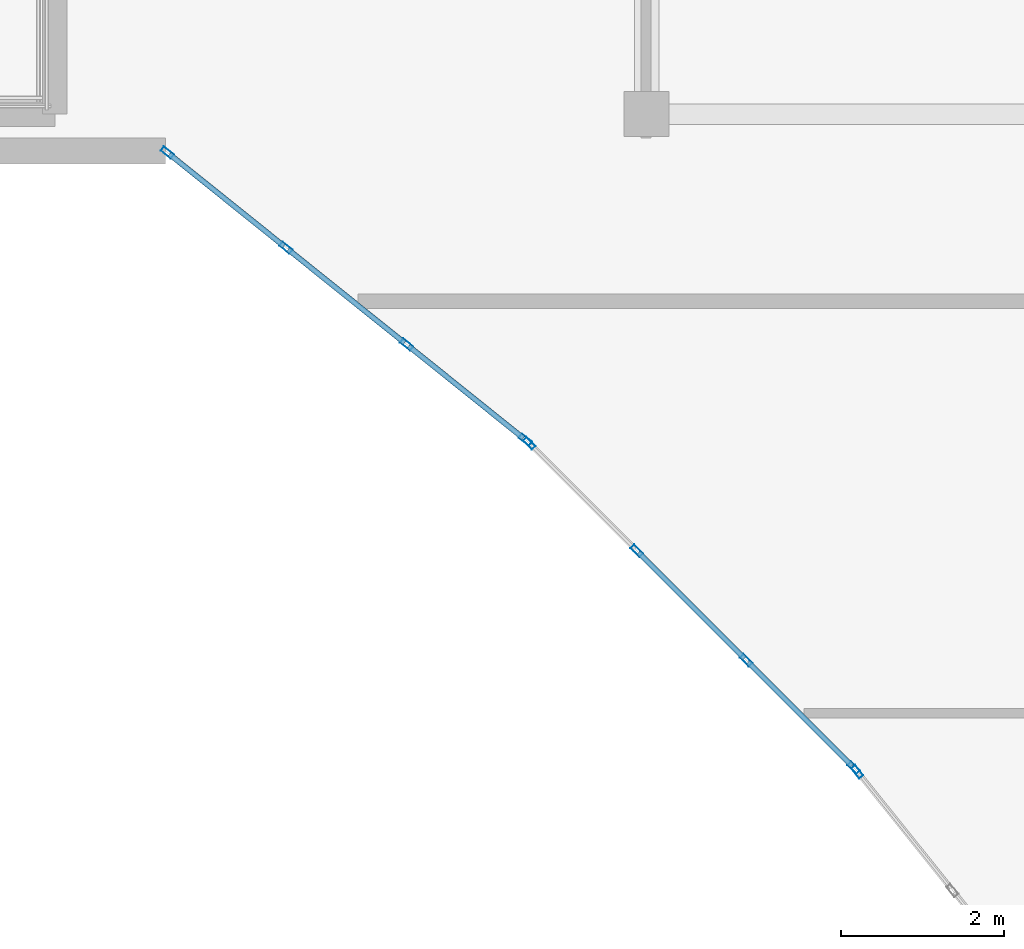
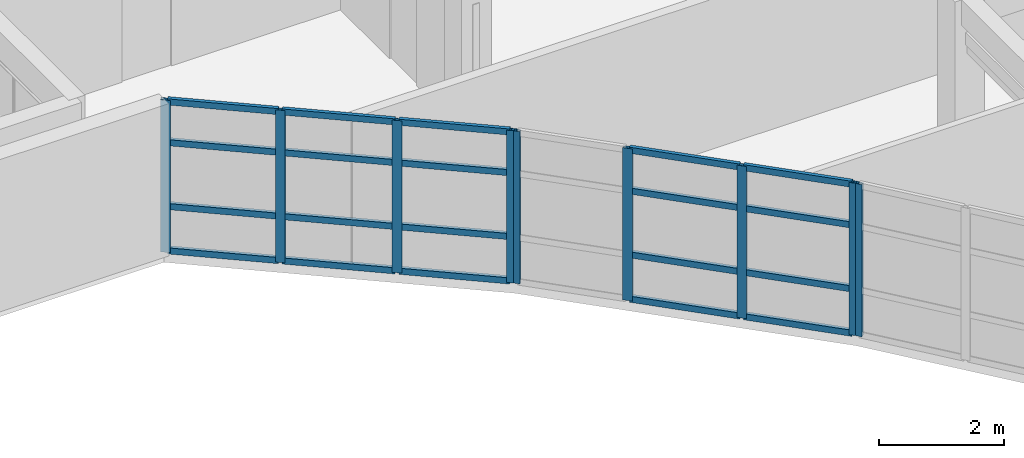
# One storey, part 15 of 49: 29 members, 3 elements without a shape of their own.
"""IFC4 building model written with IfcOpenShell, lengths in metres."""

from ifc_helpers import new_model, si_unit, direction, frame, origin, origin_2d, place, context, subcontext, project, spatial, hollow_rectangle, extrude, material, layer, layer_set, material_profile, profile_set, type_object, element, aggregate, save


model = new_model("IFC4")

# Units and contexts
model_context = context("Model", 3, precision=1e-05, world=origin(), true_north=direction((0.0, 1.0)))
body_context = subcontext(model_context, "Body", "Model", "MODEL_VIEW")
ifc_project = project(units=[si_unit("LENGTHUNIT", "METRE"), si_unit("AREAUNIT", "SQUARE_METRE"), si_unit("VOLUMEUNIT", "CUBIC_METRE"), si_unit("PLANEANGLEUNIT", "RADIAN"), si_unit("MASSUNIT", "GRAM", prefix="KILO")], contexts=[model_context])

# Site, building, storey
site_placement = place(None, origin())
site = spatial("IfcSite", under=ifc_project, at=site_placement, CompositionType="ELEMENT")
building_placement = place(site_placement, origin())
building = spatial("IfcBuilding", under=site, at=building_placement, Name="Keldmere Railside Commons", CompositionType="ELEMENT")
storey_placement = place(building_placement, frame((0.0, 0.0, 29.760009765625)))
storey = spatial("IfcBuildingStorey", under=building, at=storey_placement, Name="L09", CompositionType="ELEMENT", Elevation=29.760009765625)

# Curtain wall, members
ifc_material = material(Name="Thermally Broken Aluminium", Category="aluminium")
ifc_layer_1 = layer(ifc_material, 0.159912109375, Name="Court Chord Wintergarden CW 5400x2850")
ifc_layer_set_1 = layer_set([ifc_layer_1], Name="Thermally Broken Aluminium")
curtain_wall_type_1 = type_object("IfcCurtainWallType", Name="Court Chord Wintergarden CW 5400x2850", PredefinedType="NOTDEFINED", material=ifc_layer_set_1)
curtain_wall_1_placement = place(storey_placement, origin())
curtain_wall_1 = element("IfcCurtainWall", 1, at=curtain_wall_1_placement, inside=storey, type_object=curtain_wall_type_1, Name="CW-13 CW-L09-184", PredefinedType="NOTDEFINED")
ifc_material_profile_1 = material_profile(ifc_material, hollow_rectangle(XDim=0.06494140625, YDim=0.159912109375, WallThickness=0.00390625, at=origin_2d()), Name="ALU-MULL-65x160")
ifc_profile_set_1 = profile_set([ifc_material_profile_1], Name="Thermally Broken Aluminium")
member_type_1 = type_object("IfcMemberType", Name="Unitised Curtain Wall Mullion 65x160", PredefinedType="MULLION", material=ifc_profile_set_1)
member_1_placement = place(storey_placement, frame((160.404541015625, 96.46630859375, 0.0), z_axis=(0.0, 0.0, 1.0), x_axis=(-0.625768080915, -0.780009172323, 0.0)))
member_1 = element("IfcMember", 2, at=member_1_placement, type_object=member_type_1, Name="CW-13 mullion 1", PredefinedType="MULLION", context=body_context, shape_type="SweptSolid", body=[
    extrude(hollow_rectangle(XDim=0.06494140625, YDim=0.159912109375, WallThickness=0.00390625, at=origin_2d()), origin(), (0.0, 0.0, 1.0), 2.97998046875),
])
member_2_placement = place(storey_placement, frame((158.953369140625, 97.630615234375, 0.0), z_axis=(0.0, 0.0, 1.0), x_axis=(-0.625768080915, -0.780009172323, 0.0)))
member_2 = element("IfcMember", 3, at=member_2_placement, type_object=member_type_1, Name="CW-13 mullion 2", PredefinedType="MULLION", context=body_context, shape_type="SweptSolid", body=[
    extrude(hollow_rectangle(XDim=0.06494140625, YDim=0.159912109375, WallThickness=0.00390625, at=origin_2d()), origin(), (0.0, 0.0, 1.0), 2.97998046875),
])
member_3_placement = place(storey_placement, frame((157.4765625, 98.8154296875, 0.0), z_axis=(0.0, 0.0, 1.0), x_axis=(-0.625768080915, -0.780009172323, 0.0)))
member_3 = element("IfcMember", 4, at=member_3_placement, type_object=member_type_1, Name="CW-13 mullion 3", PredefinedType="MULLION", context=body_context, shape_type="SweptSolid", body=[
    extrude(hollow_rectangle(XDim=0.06494140625, YDim=0.159912109375, WallThickness=0.00390625, at=origin_2d()), origin(), (0.0, 0.0, 1.0), 2.97998046875),
])
member_4_placement = place(storey_placement, frame((156.025390625, 99.979736328125, 0.0), z_axis=(0.0, 0.0, 1.0), x_axis=(-0.625768080915, -0.780009172323, 0.0)))
member_4 = element("IfcMember", 5, at=member_4_placement, type_object=member_type_1, Name="CW-13 mullion 4", PredefinedType="MULLION", context=body_context, shape_type="SweptSolid", body=[
    extrude(hollow_rectangle(XDim=0.06494140625, YDim=0.159912109375, WallThickness=0.00390625, at=origin_2d()), origin(), (0.0, 0.0, 1.0), 2.97998046875),
])

ifc_layer_2 = layer(ifc_material, 0.159912109375, Name="Court Chord Wintergarden CW 4800x2850")
ifc_layer_set_2 = layer_set([ifc_layer_2], Name="Thermally Broken Aluminium")
curtain_wall_type_2 = type_object("IfcCurtainWallType", Name="Court Chord Wintergarden CW 4800x2850", PredefinedType="NOTDEFINED", material=ifc_layer_set_2)
curtain_wall_2_placement = place(storey_placement, origin())
curtain_wall_2 = element("IfcCurtainWall", 6, at=curtain_wall_2_placement, inside=storey, type_object=curtain_wall_type_2, Name="CW-12 CW-L09-185", PredefinedType="NOTDEFINED")
member_5_placement = place(storey_placement, frame((164.423095703125, 92.452880859375, 0.0), z_axis=(0.0, 0.0, 1.0), x_axis=(-0.707106781187, -0.707106781187, 0.0)))
member_5 = element("IfcMember", 7, at=member_5_placement, type_object=member_type_1, Name="CW-12 mullion 1", PredefinedType="MULLION", context=body_context, shape_type="SweptSolid", body=[
    extrude(hollow_rectangle(XDim=0.06494140625, YDim=0.159912109375, WallThickness=0.00390625, at=origin_2d()), origin(), (0.0, 0.0, 1.0), 2.97998046875),
])
member_6_placement = place(storey_placement, frame((163.107421875, 93.7685546875, 0.0), z_axis=(0.0, 0.0, 1.0), x_axis=(-0.707106781187, -0.707106781187, 0.0)))
member_6 = element("IfcMember", 8, at=member_6_placement, type_object=member_type_1, Name="CW-12 mullion 2", PredefinedType="MULLION", context=body_context, shape_type="SweptSolid", body=[
    extrude(hollow_rectangle(XDim=0.06494140625, YDim=0.159912109375, WallThickness=0.00390625, at=origin_2d()), origin(), (0.0, 0.0, 1.0), 2.97998046875),
])
member_7_placement = place(storey_placement, frame((161.7685546875, 95.107421875, 0.0), z_axis=(0.0, 0.0, 1.0), x_axis=(-0.707106781187, -0.707106781187, 0.0)))
member_7 = element("IfcMember", 9, at=member_7_placement, type_object=member_type_1, Name="CW-12 mullion 3", PredefinedType="MULLION", context=body_context, shape_type="SweptSolid", body=[
    extrude(hollow_rectangle(XDim=0.06494140625, YDim=0.159912109375, WallThickness=0.00390625, at=origin_2d()), origin(), (0.0, 0.0, 1.0), 2.97998046875),
])
member_8_placement = place(storey_placement, frame((160.452880859375, 96.423095703125, 0.0), z_axis=(0.0, 0.0, 1.0), x_axis=(-0.707106781187, -0.707106781187, 0.0)))
member_8 = element("IfcMember", 10, at=member_8_placement, type_object=member_type_1, Name="CW-12 mullion 4", PredefinedType="MULLION", context=body_context, shape_type="SweptSolid", body=[
    extrude(hollow_rectangle(XDim=0.06494140625, YDim=0.159912109375, WallThickness=0.00390625, at=origin_2d()), origin(), (0.0, 0.0, 1.0), 2.97998046875),
])

# Curtain wall, member
curtain_wall_3_placement = place(storey_placement, origin())
curtain_wall_3 = element("IfcCurtainWall", 11, at=curtain_wall_3_placement, inside=storey, type_object=curtain_wall_type_1, Name="CW-13 CW-L09-186", PredefinedType="NOTDEFINED")
member_9_placement = place(storey_placement, frame((164.46630859375, 92.404541015625, 0.0), z_axis=(0.0, 0.0, 1.0), x_axis=(-0.780009172323, -0.625768080915, 0.0)))
member_9 = element("IfcMember", 12, at=member_9_placement, type_object=member_type_1, Name="CW-13 mullion 4", PredefinedType="MULLION", context=body_context, shape_type="SweptSolid", body=[
    extrude(hollow_rectangle(XDim=0.06494140625, YDim=0.159912109375, WallThickness=0.00390625, at=origin_2d()), origin(), (0.0, 0.0, 1.0), 2.97998046875),
])
aggregate(curtain_wall_3, [member_9])

# Member
ifc_material_profile_2 = material_profile(ifc_material, hollow_rectangle(XDim=0.06494140625, YDim=0.1201171875, WallThickness=0.00390625, at=origin_2d()), Name="ALU-TRAN-65x120")
ifc_profile_set_2 = profile_set([ifc_material_profile_2], Name="Thermally Broken Aluminium")
member_type_2 = type_object("IfcMemberType", Name="Unitised Curtain Wall Transom 65x120", PredefinedType="USERDEFINED", material=ifc_profile_set_2)
member_10_placement = place(storey_placement, frame((160.37939453125, 96.486572265625, 0.032470703125), z_axis=(-0.779979331565, 0.625805275091, 0.0), x_axis=(-0.625805275091, -0.779979331565, 0.0)))
member_10 = element("IfcMember", 13, at=member_10_placement, type_object=member_type_2, Name="CW-13 transom 1.1", ObjectType="TRANSOM", PredefinedType="USERDEFINED", context=body_context, shape_type="SweptSolid", body=[
    extrude(hollow_rectangle(XDim=0.06494140625, YDim=0.1201171875, WallThickness=0.00390625, at=origin_2d()), origin(), (0.0, 0.0, 1.0), 1.795654296875),
])

member_11_placement = place(storey_placement, frame((160.37939453125, 96.486572265625, 0.89990234375), z_axis=(-0.779979331565, 0.625805275091, 0.0), x_axis=(-0.625805275091, -0.779979331565, 0.0)))
member_11 = element("IfcMember", 14, at=member_11_placement, type_object=member_type_2, Name="CW-13 transom 1.2", ObjectType="TRANSOM", PredefinedType="USERDEFINED", context=body_context, shape_type="SweptSolid", body=[
    extrude(hollow_rectangle(XDim=0.06494140625, YDim=0.1201171875, WallThickness=0.00390625, at=origin_2d()), origin(), (0.0, 0.0, 1.0), 1.795654296875),
])

member_12_placement = place(storey_placement, frame((160.37939453125, 96.486572265625, 2.14990234375), z_axis=(-0.779979331565, 0.625805275091, 0.0), x_axis=(-0.625805275091, -0.779979331565, 0.0)))
member_12 = element("IfcMember", 15, at=member_12_placement, type_object=member_type_2, Name="CW-13 transom 1.3", ObjectType="TRANSOM", PredefinedType="USERDEFINED", context=body_context, shape_type="SweptSolid", body=[
    extrude(hollow_rectangle(XDim=0.06494140625, YDim=0.1201171875, WallThickness=0.00390625, at=origin_2d()), origin(), (0.0, 0.0, 1.0), 1.795654296875),
])

member_13_placement = place(storey_placement, frame((160.37939453125, 96.486572265625, 2.947509765625), z_axis=(-0.779979331565, 0.625805275091, 0.0), x_axis=(-0.625805275091, -0.779979331565, 0.0)))
member_13 = element("IfcMember", 16, at=member_13_placement, type_object=member_type_2, Name="CW-13 transom 1.4", ObjectType="TRANSOM", PredefinedType="USERDEFINED", context=body_context, shape_type="SweptSolid", body=[
    extrude(hollow_rectangle(XDim=0.06494140625, YDim=0.1201171875, WallThickness=0.00390625, at=origin_2d()), origin(), (0.0, 0.0, 1.0), 1.795654296875),
])

member_14_placement = place(storey_placement, frame((158.927978515625, 97.651123046875, 0.032470703125), z_axis=(-0.78007338409, 0.625688033635, 0.0), x_axis=(-0.625688033635, -0.78007338409, 0.0)))
member_14 = element("IfcMember", 17, at=member_14_placement, type_object=member_type_2, Name="CW-13 transom 2.1", ObjectType="TRANSOM", PredefinedType="USERDEFINED", context=body_context, shape_type="SweptSolid", body=[
    extrude(hollow_rectangle(XDim=0.06494140625, YDim=0.1201171875, WallThickness=0.00390625, at=origin_2d()), origin(), (0.0, 0.0, 1.0), 1.828125),
])

member_15_placement = place(storey_placement, frame((158.927978515625, 97.651123046875, 0.89990234375), z_axis=(-0.78007338409, 0.625688033635, 0.0), x_axis=(-0.625688033635, -0.78007338409, 0.0)))
member_15 = element("IfcMember", 18, at=member_15_placement, type_object=member_type_2, Name="CW-13 transom 2.2", ObjectType="TRANSOM", PredefinedType="USERDEFINED", context=body_context, shape_type="SweptSolid", body=[
    extrude(hollow_rectangle(XDim=0.06494140625, YDim=0.1201171875, WallThickness=0.00390625, at=origin_2d()), origin(), (0.0, 0.0, 1.0), 1.828125),
])

member_16_placement = place(storey_placement, frame((158.927978515625, 97.651123046875, 2.14990234375), z_axis=(-0.78007338409, 0.625688033635, 0.0), x_axis=(-0.625688033635, -0.78007338409, 0.0)))
member_16 = element("IfcMember", 19, at=member_16_placement, type_object=member_type_2, Name="CW-13 transom 2.3", ObjectType="TRANSOM", PredefinedType="USERDEFINED", context=body_context, shape_type="SweptSolid", body=[
    extrude(hollow_rectangle(XDim=0.06494140625, YDim=0.1201171875, WallThickness=0.00390625, at=origin_2d()), origin(), (0.0, 0.0, 1.0), 1.828125),
])

member_17_placement = place(storey_placement, frame((158.927978515625, 97.651123046875, 2.947509765625), z_axis=(-0.78007338409, 0.625688033635, 0.0), x_axis=(-0.625688033635, -0.78007338409, 0.0)))
member_17 = element("IfcMember", 20, at=member_17_placement, type_object=member_type_2, Name="CW-13 transom 2.4", ObjectType="TRANSOM", PredefinedType="USERDEFINED", context=body_context, shape_type="SweptSolid", body=[
    extrude(hollow_rectangle(XDim=0.06494140625, YDim=0.1201171875, WallThickness=0.00390625, at=origin_2d()), origin(), (0.0, 0.0, 1.0), 1.828125),
])

member_18_placement = place(storey_placement, frame((157.451416015625, 98.835693359375, 0.032470703125), z_axis=(-0.780045694992, 0.625722553313, 0.0), x_axis=(-0.625722553313, -0.780045694992, 0.0)))
member_18 = element("IfcMember", 21, at=member_18_placement, type_object=member_type_2, Name="CW-13 transom 3.1", ObjectType="TRANSOM", PredefinedType="USERDEFINED", context=body_context, shape_type="SweptSolid", body=[
    extrude(hollow_rectangle(XDim=0.06494140625, YDim=0.1201171875, WallThickness=0.00390625, at=origin_2d()), origin(), (0.0, 0.0, 1.0), 1.795654296875),
])

member_19_placement = place(storey_placement, frame((157.451416015625, 98.835693359375, 0.89990234375), z_axis=(-0.780045694992, 0.625722553313, 0.0), x_axis=(-0.625722553313, -0.780045694992, 0.0)))
member_19 = element("IfcMember", 22, at=member_19_placement, type_object=member_type_2, Name="CW-13 transom 3.2", ObjectType="TRANSOM", PredefinedType="USERDEFINED", context=body_context, shape_type="SweptSolid", body=[
    extrude(hollow_rectangle(XDim=0.06494140625, YDim=0.1201171875, WallThickness=0.00390625, at=origin_2d()), origin(), (0.0, 0.0, 1.0), 1.795654296875),
])

member_20_placement = place(storey_placement, frame((157.451416015625, 98.835693359375, 2.14990234375), z_axis=(-0.780045694992, 0.625722553313, 0.0), x_axis=(-0.625722553313, -0.780045694992, 0.0)))
member_20 = element("IfcMember", 23, at=member_20_placement, type_object=member_type_2, Name="CW-13 transom 3.3", ObjectType="TRANSOM", PredefinedType="USERDEFINED", context=body_context, shape_type="SweptSolid", body=[
    extrude(hollow_rectangle(XDim=0.06494140625, YDim=0.1201171875, WallThickness=0.00390625, at=origin_2d()), origin(), (0.0, 0.0, 1.0), 1.795654296875),
])

member_21_placement = place(storey_placement, frame((157.451416015625, 98.835693359375, 2.947509765625), z_axis=(-0.780045694992, 0.625722553313, 0.0), x_axis=(-0.625722553313, -0.780045694992, 0.0)))
member_21 = element("IfcMember", 24, at=member_21_placement, type_object=member_type_2, Name="CW-13 transom 3.4", ObjectType="TRANSOM", PredefinedType="USERDEFINED", context=body_context, shape_type="SweptSolid", body=[
    extrude(hollow_rectangle(XDim=0.06494140625, YDim=0.1201171875, WallThickness=0.00390625, at=origin_2d()), origin(), (0.0, 0.0, 1.0), 1.795654296875),
])

aggregate(curtain_wall_1, [member_1, member_2, member_3, member_4, member_10, member_11, member_12, member_13, member_14, member_15, member_16, member_17, member_18, member_19, member_20, member_21])

member_22_placement = place(storey_placement, frame((164.400146484375, 92.47607421875, 0.032470703125), z_axis=(-0.707174762418, 0.707038793419, 0.0), x_axis=(-0.707038793419, -0.707174762418, 0.0)))
member_22 = element("IfcMember", 25, at=member_22_placement, type_object=member_type_2, Name="CW-12 transom 1.1", ObjectType="TRANSOM", PredefinedType="USERDEFINED", context=body_context, shape_type="SweptSolid", body=[
    extrude(hollow_rectangle(XDim=0.06494140625, YDim=0.1201171875, WallThickness=0.00390625, at=origin_2d()), origin(), (0.0, 0.0, 1.0), 1.795654296875),
])

member_23_placement = place(storey_placement, frame((164.400146484375, 92.47607421875, 0.89990234375), z_axis=(-0.707174762418, 0.707038793419, 0.0), x_axis=(-0.707038793419, -0.707174762418, 0.0)))
member_23 = element("IfcMember", 26, at=member_23_placement, type_object=member_type_2, Name="CW-12 transom 1.2", ObjectType="TRANSOM", PredefinedType="USERDEFINED", context=body_context, shape_type="SweptSolid", body=[
    extrude(hollow_rectangle(XDim=0.06494140625, YDim=0.1201171875, WallThickness=0.00390625, at=origin_2d()), origin(), (0.0, 0.0, 1.0), 1.795654296875),
])

member_24_placement = place(storey_placement, frame((164.400146484375, 92.47607421875, 2.14990234375), z_axis=(-0.707174762418, 0.707038793419, 0.0), x_axis=(-0.707038793419, -0.707174762418, 0.0)))
member_24 = element("IfcMember", 27, at=member_24_placement, type_object=member_type_2, Name="CW-12 transom 1.3", ObjectType="TRANSOM", PredefinedType="USERDEFINED", context=body_context, shape_type="SweptSolid", body=[
    extrude(hollow_rectangle(XDim=0.06494140625, YDim=0.1201171875, WallThickness=0.00390625, at=origin_2d()), origin(), (0.0, 0.0, 1.0), 1.795654296875),
])

member_25_placement = place(storey_placement, frame((164.400146484375, 92.47607421875, 2.947509765625), z_axis=(-0.707174762418, 0.707038793419, 0.0), x_axis=(-0.707038793419, -0.707174762418, 0.0)))
member_25 = element("IfcMember", 28, at=member_25_placement, type_object=member_type_2, Name="CW-12 transom 1.4", ObjectType="TRANSOM", PredefinedType="USERDEFINED", context=body_context, shape_type="SweptSolid", body=[
    extrude(hollow_rectangle(XDim=0.06494140625, YDim=0.1201171875, WallThickness=0.00390625, at=origin_2d()), origin(), (0.0, 0.0, 1.0), 1.795654296875),
])

member_26_placement = place(storey_placement, frame((163.08447265625, 93.791748046875, 0.032470703125), z_axis=(-0.707106781187, 0.707106781187, 0.0), x_axis=(-0.707106781187, -0.707106781187, 0.0)))
member_26 = element("IfcMember", 29, at=member_26_placement, type_object=member_type_2, Name="CW-12 transom 2.1", ObjectType="TRANSOM", PredefinedType="USERDEFINED", context=body_context, shape_type="SweptSolid", body=[
    extrude(hollow_rectangle(XDim=0.06494140625, YDim=0.1201171875, WallThickness=0.00390625, at=origin_2d()), origin(), (0.0, 0.0, 1.0), 1.828125),
])

member_27_placement = place(storey_placement, frame((163.08447265625, 93.791748046875, 0.89990234375), z_axis=(-0.707106781187, 0.707106781187, 0.0), x_axis=(-0.707106781187, -0.707106781187, 0.0)))
member_27 = element("IfcMember", 30, at=member_27_placement, type_object=member_type_2, Name="CW-12 transom 2.2", ObjectType="TRANSOM", PredefinedType="USERDEFINED", context=body_context, shape_type="SweptSolid", body=[
    extrude(hollow_rectangle(XDim=0.06494140625, YDim=0.1201171875, WallThickness=0.00390625, at=origin_2d()), origin(), (0.0, 0.0, 1.0), 1.828125),
])

member_28_placement = place(storey_placement, frame((163.08447265625, 93.791748046875, 2.14990234375), z_axis=(-0.707106781187, 0.707106781187, 0.0), x_axis=(-0.707106781187, -0.707106781187, 0.0)))
member_28 = element("IfcMember", 31, at=member_28_placement, type_object=member_type_2, Name="CW-12 transom 2.3", ObjectType="TRANSOM", PredefinedType="USERDEFINED", context=body_context, shape_type="SweptSolid", body=[
    extrude(hollow_rectangle(XDim=0.06494140625, YDim=0.1201171875, WallThickness=0.00390625, at=origin_2d()), origin(), (0.0, 0.0, 1.0), 1.828125),
])

member_29_placement = place(storey_placement, frame((163.08447265625, 93.791748046875, 2.947509765625), z_axis=(-0.707106781187, 0.707106781187, 0.0), x_axis=(-0.707106781187, -0.707106781187, 0.0)))
member_29 = element("IfcMember", 32, at=member_29_placement, type_object=member_type_2, Name="CW-12 transom 2.4", ObjectType="TRANSOM", PredefinedType="USERDEFINED", context=body_context, shape_type="SweptSolid", body=[
    extrude(hollow_rectangle(XDim=0.06494140625, YDim=0.1201171875, WallThickness=0.00390625, at=origin_2d()), origin(), (0.0, 0.0, 1.0), 1.828125),
])

aggregate(curtain_wall_2, [member_5, member_6, member_7, member_8, member_22, member_23, member_24, member_25, member_26, member_27, member_28, member_29])

save(model, "model.ifc")
